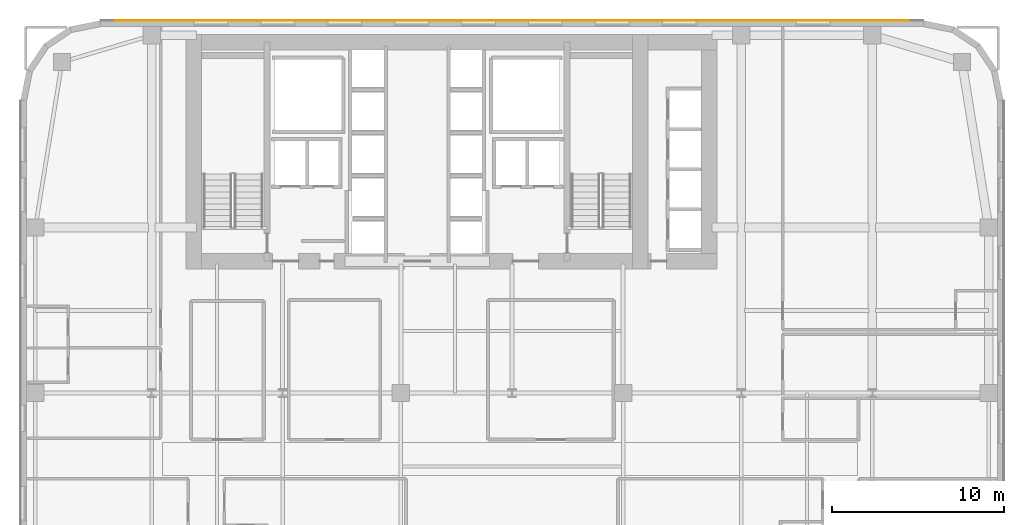
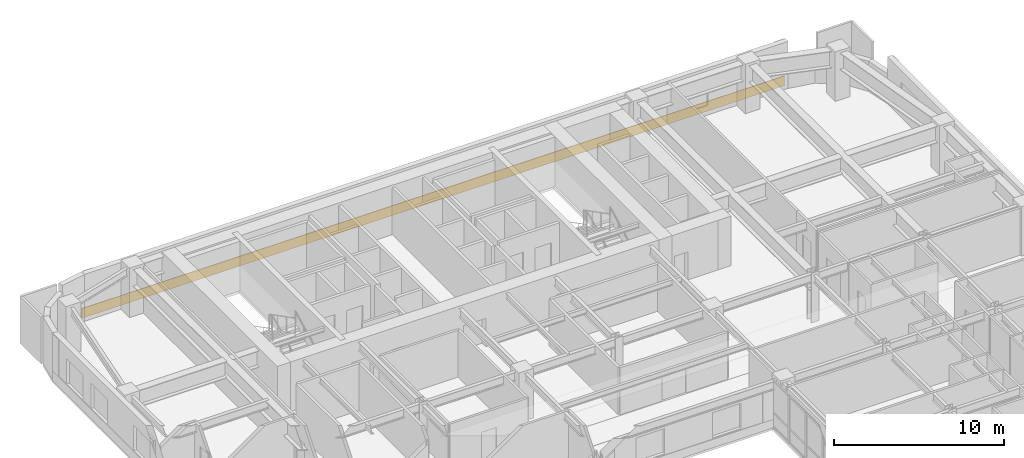
# One storey, part 24 of 25: 1 covering.
"""IFC4 building model written with IfcOpenShell, lengths in metres."""

import ifcopenshell
import ifcopenshell.guid

model = None  # the IFC model being written
_history = None  # IfcOwnerHistory: only IFC2X3 demands one
_inside = {}  # id of a spatial element -> (the spatial element, [elements in it])
_under = {}  # id of a project, library or spatial element -> (it, [spatial elements below it])
_declared = {}  # id of a project -> (the project, [libraries it declares])
_typed = {}  # id of a type object -> (the type object, [elements of that type])
_made_of = {}  # id of a material, layer set ... -> (it, [elements and type objects made of it])


def new_model(schema):
    """Start an empty IFC model of exactly this schema.

    Asked for "IFC4X3", IfcOpenShell would pick the latest addendum, in which some entities
    have other attributes; the version numbers below select the first issue.
    IFC2X3 requires an IfcOwnerHistory on every rooted entity: one is made here for all.
    """
    global model, _history
    if schema == "IFC4X3":
        model = ifcopenshell.file(schema_version=(4, 3, 0, 0))
    else:
        model = ifcopenshell.file(schema=schema)
    _inside.clear()
    _under.clear()
    _declared.clear()
    _typed.clear()
    _made_of.clear()
    _history = None
    if model.schema == "IFC2X3":
        org = make("IfcOrganization", Name="unknown")
        user = make(
            "IfcPersonAndOrganization",
            ThePerson=make("IfcPerson", FamilyName="unknown"),
            TheOrganization=org,
        )
        app = make(
            "IfcApplication",
            ApplicationDeveloper=org,
            Version="unknown",
            ApplicationFullName="unknown",
            ApplicationIdentifier="unknown",
        )
        _history = make(
            "IfcOwnerHistory",
            OwningUser=user,
            OwningApplication=app,
            ChangeAction="ADDED",
            CreationDate=0,
        )
    return model


def make(cls, **values):
    """One entity of the class cls with the attributes given. An attribute that is None is left unset."""
    return model.create_entity(
        cls, **{name: value for name, value in values.items() if value is not None}
    )


def rooted(cls, **values):
    """An entity with a GlobalId (a new one), such as an element, a storey or a relation."""
    return make(cls, GlobalId=ifcopenshell.guid.new(), OwnerHistory=_history, **values)


def si_unit(unit_type, name, prefix=None):
    """IfcSIUnit, for example si_unit("LENGTHUNIT", "METRE", prefix="MILLI")."""
    return make("IfcSIUnit", UnitType=unit_type, Prefix=prefix, Name=name)


def assignment(units):
    """IfcUnitAssignment: the units of a project."""
    return None if units is None else make("IfcUnitAssignment", Units=units)


def point(xyz):
    """IfcCartesianPoint."""
    return None if xyz is None else make("IfcCartesianPoint", Coordinates=xyz)


def direction(xyz):
    """IfcDirection."""
    return None if xyz is None else make("IfcDirection", DirectionRatios=xyz)


def frame(location, z_axis=None, x_axis=None):
    """IfcAxis2Placement3D, a coordinate frame: its origin and axes. An axis left out is left unset."""
    return make(
        "IfcAxis2Placement3D",
        Location=point(location),
        Axis=direction(z_axis),
        RefDirection=direction(x_axis),
    )


def origin():
    """The frame at (0, 0, 0) with its axes left unset."""
    return frame((0.0, 0.0, 0.0))


def place(relative_to, where):
    """IfcLocalPlacement: puts the frame where relative to a parent placement (None: the world)."""
    return make(
        "IfcLocalPlacement", PlacementRelTo=relative_to, RelativePlacement=where
    )


def context(
    kind, dimensions, precision=None, world=None, true_north=None, identifier=None
):
    """IfcGeometricRepresentationContext, for example the 3D "Model" context."""
    return make(
        "IfcGeometricRepresentationContext",
        ContextIdentifier=identifier,
        ContextType=kind,
        CoordinateSpaceDimension=dimensions,
        Precision=precision,
        WorldCoordinateSystem=world,
        TrueNorth=true_north,
    )


def subcontext(parent, identifier, kind, view, scale=None):
    """IfcGeometricRepresentationSubContext, for example "Body" below "Model"."""
    return make(
        "IfcGeometricRepresentationSubContext",
        ContextIdentifier=identifier,
        ContextType=kind,
        ParentContext=parent,
        TargetScale=scale,
        TargetView=view,
    )


def project(units=None, contexts=None):
    """IfcProject with its units and contexts."""
    return rooted(
        "IfcProject",
        Name="project",
        RepresentationContexts=contexts,
        UnitsInContext=assignment(units),
    )


def spatial(cls, under=None, at=None, **own):
    """A site, building, storey or space (cls), placed at a placement, below another one or the project."""
    s = rooted(cls, ObjectPlacement=at, **own)
    if under is not None:
        _under.setdefault(under.id(), (under, []))[1].append(s)
    return s


def polyline(points):
    """IfcPolyline through the points."""
    return make("IfcPolyline", Points=[point(p) for p in points])


def outline(outer, holes=None, kind="AREA"):
    """IfcArbitraryClosedProfileDef: a profile drawn as a closed curve; with holes, ...WithVoids."""
    if holes is None:
        return make("IfcArbitraryClosedProfileDef", ProfileType=kind, OuterCurve=outer)
    return make(
        "IfcArbitraryProfileDefWithVoids",
        ProfileType=kind,
        OuterCurve=outer,
        InnerCurves=holes,
    )


def extrude(swept, where, along, depth):
    """IfcExtrudedAreaSolid: the profile swept, set in the frame where, extruded along a direction by depth."""
    return make(
        "IfcExtrudedAreaSolid",
        SweptArea=swept,
        Position=where,
        ExtrudedDirection=direction(along),
        Depth=depth,
    )


def shape(context_of_items, identifier, shape_type, items):
    """IfcShapeRepresentation: the items that make up one representation, for example the "Body"."""
    return make(
        "IfcShapeRepresentation",
        ContextOfItems=context_of_items,
        RepresentationIdentifier=identifier,
        RepresentationType=shape_type,
        Items=items,
    )


def material(Name=None, Category=None):
    """IfcMaterial."""
    return make("IfcMaterial", Name=Name, Category=Category)


def layer(
    of_material, thickness, ventilated=None, Name=None, Category=None, Priority=None
):
    """IfcMaterialLayer: one layer of a wall or slab, of a material (None: an air gap)."""
    return make(
        "IfcMaterialLayer",
        Material=of_material,
        LayerThickness=thickness,
        IsVentilated=ventilated,
        Name=Name,
        Category=Category,
        Priority=Priority,
    )


def layer_set(layers, Name=None):
    """IfcMaterialLayerSet."""
    return make("IfcMaterialLayerSet", MaterialLayers=layers, LayerSetName=Name)


def made_of(thing, what):
    """Note that an element or type object is made of a material, layer set ...; save() writes the relation."""
    if what is not None:
        _made_of.setdefault(what.id(), (what, []))[1].append(thing)
    return thing


def type_object(cls, material=None, **own):
    """A type object (cls), such as IfcWallType, which elements share."""
    return made_of(rooted(cls, **own), material)


def element(
    cls,
    number,
    at=None,
    inside=None,
    cuts=None,
    type_object=None,
    material=None,
    context=None,
    identifier="Body",
    shape_type=None,
    held_by="IfcProductDefinitionShape",
    body=None,
    shapes=None,
    **own,
):
    """One element of the class cls, such as IfcWall. Its Tag is "e" and its number.

    at: its placement. inside: the storey or other place that contains it. cuts: it is an
    opening in that element (IfcRelVoidsElement). A single representation is given by context,
    identifier, shape_type and body (its items); several are given by shapes. held_by: the class
    of the entity that holds the representations. save() writes the other relations.
    """
    e = rooted(cls, Tag="e%d" % number, ObjectPlacement=at, **own)
    if body is not None:
        shapes = [shape(context, identifier, shape_type, body)]
    if shapes is not None:
        e.Representation = make(held_by, Representations=shapes)
    if inside is not None:
        _inside.setdefault(inside.id(), (inside, []))[1].append(e)
    if cuts is not None:
        rooted(
            "IfcRelVoidsElement", RelatingBuildingElement=cuts, RelatedOpeningElement=e
        )
    if type_object is not None:
        _typed.setdefault(type_object.id(), (type_object, []))[1].append(e)
    return made_of(e, material)


def aggregate(whole, parts):
    """IfcRelAggregates: a whole, such as a stair, and the parts it consists of."""
    return rooted("IfcRelAggregates", RelatingObject=whole, RelatedObjects=parts)


def save(model, path):
    """Write the relations noted so far, then the file.

    IfcRelAggregates (storeys below a building ...), IfcRelContainedInSpatialStructure (elements
    in a storey), IfcRelDefinesByType, IfcRelAssociatesMaterial and IfcRelDeclares: one each for
    every whole, place, type object, material and project.
    """
    for whole, parts in _under.values():
        aggregate(whole, parts)
    for where, things in _inside.values():
        rooted(
            "IfcRelContainedInSpatialStructure",
            RelatedElements=things,
            RelatingStructure=where,
        )
    for kind, things in _typed.values():
        rooted("IfcRelDefinesByType", RelatedObjects=things, RelatingType=kind)
    for what, things in _made_of.values():
        rooted("IfcRelAssociatesMaterial", RelatedObjects=things, RelatingMaterial=what)
    for by, libraries in _declared.values():
        rooted("IfcRelDeclares", RelatingContext=by, RelatedDefinitions=libraries)
    model.write(path)


model = new_model("IFC4")

# Units and contexts
model_context = context("Model", 3, precision=1e-05, world=origin(), true_north=direction((0.0, 1.0)))
body_context = subcontext(model_context, "Body", "Model", "MODEL_VIEW")
ifc_project = project(units=[si_unit("LENGTHUNIT", "METRE"), si_unit("AREAUNIT", "SQUARE_METRE"), si_unit("VOLUMEUNIT", "CUBIC_METRE"), si_unit("PLANEANGLEUNIT", "RADIAN"), si_unit("MASSUNIT", "GRAM", prefix="KILO")], contexts=[model_context])

# Site, building, storey
site_placement = place(None, origin())
site = spatial("IfcSite", under=ifc_project, at=site_placement, CompositionType="ELEMENT")
building_placement = place(site_placement, origin())
building = spatial("IfcBuilding", under=site, at=building_placement, Name="Tolvann Quenvar Hotel", CompositionType="ELEMENT")
storey_placement = place(building_placement, frame((0.0, 0.0, 46.199951171875)))
storey = spatial("IfcBuildingStorey", under=building, at=storey_placement, Name="L10", CompositionType="ELEMENT", Elevation=46.199951171875)

# Covering
ifc_material = material(Name="Moulded buff architectural terracotta spandrel cladding", Category="masonry")
ifc_layer = layer(ifc_material, 0.0400390625)
ifc_layer_set = layer_set([ifc_layer], Name="Moulded buff architectural terracotta spandrel cladding")
covering_type = type_object("IfcCoveringType", Name="COV_CLAD_TERRA_40", PredefinedType="CLADDING", material=ifc_layer_set)
covering_placement = place(storey_placement, origin())
element("IfcCovering", 1, at=covering_placement, inside=storey, type_object=covering_type, Name="Terracotta Spandrel Cladding (L10-E18)", PredefinedType="CLADDING", context=body_context, shape_type="SweptSolid", body=[
    extrude(outline(polyline([(52.3427734375, 46.0), (4.6572265625, 46.0), (4.6572265625, 46.0400390625), (52.3427734375, 46.0400390625), (52.3427734375, 46.0)])), origin(), (0.0, 0.0, 1.0), 0.699951171875),
])

save(model, "model.ifc")
